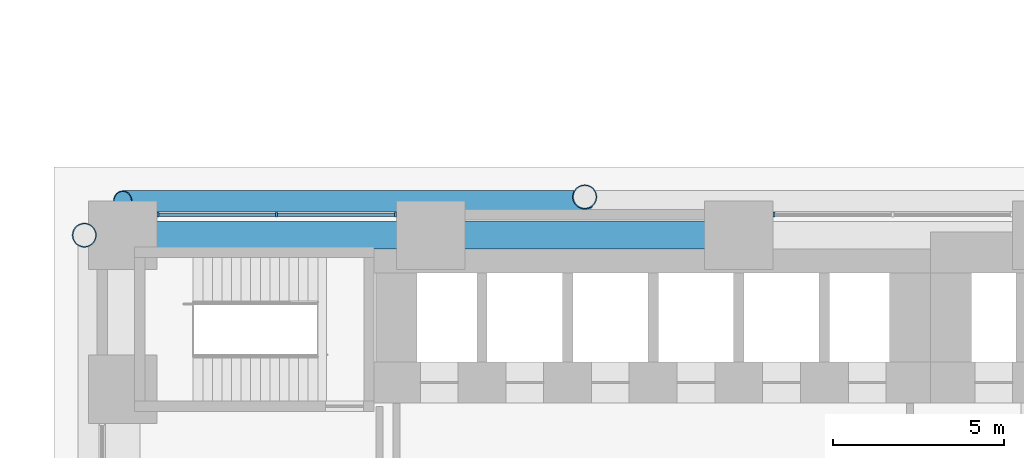
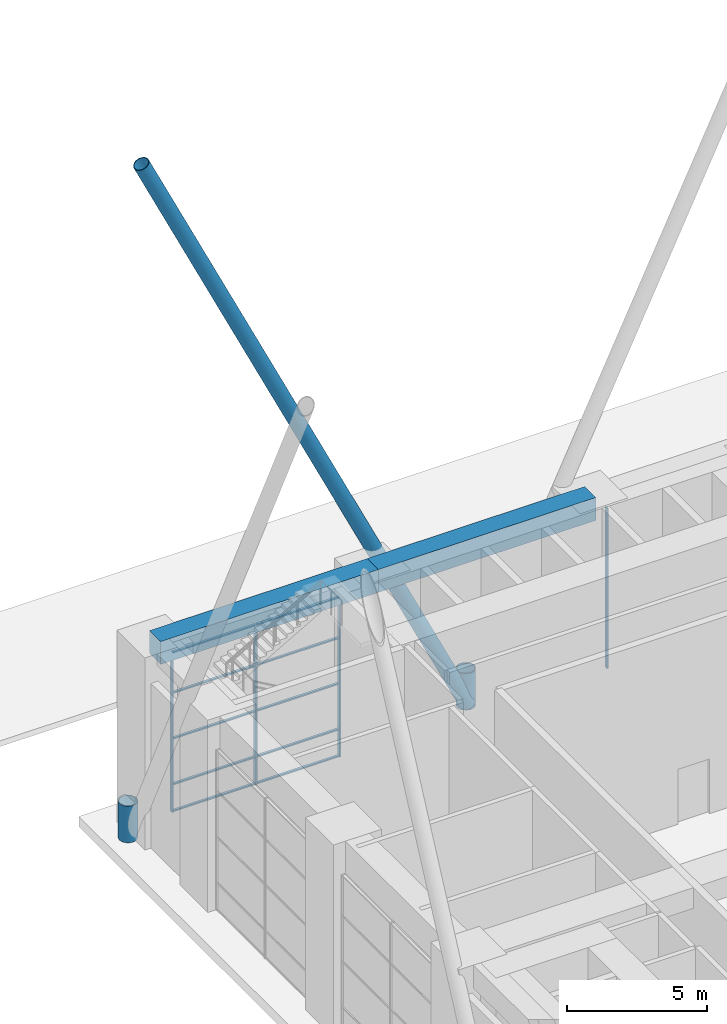
# One storey, part 17 of 44: 17 members, 2 beams, 2 elements without a shape of their own.
"""IFC4 building model written with IfcOpenShell, lengths in metres."""

from ifc_helpers import new_model, si_unit, direction, frame, origin, origin_2d, place, context, subcontext, project, spatial, rectangle, hollow_circle, extrude, material, material_profile, profile_set, type_object, element, aggregate, save


model = new_model("IFC4")

# Units and contexts
model_context = context("Model", 3, precision=1e-05, world=origin(), true_north=direction((0.0, 1.0)))
body_context = subcontext(model_context, "Body", "Model", "MODEL_VIEW")
ifc_project = project(units=[si_unit("LENGTHUNIT", "METRE"), si_unit("AREAUNIT", "SQUARE_METRE"), si_unit("VOLUMEUNIT", "CUBIC_METRE"), si_unit("PLANEANGLEUNIT", "RADIAN"), si_unit("MASSUNIT", "GRAM", prefix="KILO")], contexts=[model_context])

# Site, building, storey
site_placement = place(None, origin())
site = spatial("IfcSite", under=ifc_project, at=site_placement, CompositionType="ELEMENT")
building_placement = place(site_placement, origin())
building = spatial("IfcBuilding", under=site, at=building_placement, Name="Firuza Court", CompositionType="ELEMENT")
storey_placement = place(building_placement, origin())
storey = spatial("IfcBuildingStorey", under=building, at=storey_placement, Name="L00", CompositionType="ELEMENT", Elevation=0.0)

# Members
ifc_material_1 = material(Name="Steel S355", Category="steel")
ifc_material_profile_1 = material_profile(ifc_material_1, hollow_circle(Radius=0.304931640625, WallThickness=0.02490234375, at=origin_2d()), Name="CHS 610x25")
ifc_profile_set_1 = profile_set([ifc_material_profile_1], Name="Steel S355")
member_type_1 = type_object("IfcMemberType", Name="Diagrid diagonal CHS 610x25 S355", PredefinedType="USERDEFINED", material=ifc_profile_set_1)
member_1_placement = place(storey_placement, frame((13.5, 59.4951171875, 0.130859375), z_axis=(-0.430315969648, 0.0, 0.902678329343), x_axis=(0.0, -1.0, 0.0)))
element("IfcMember", 1, at=member_1_placement, inside=storey, type_object=member_type_1, Name="Diagrid diagonal L00 to L05", ObjectType="DIAGRID", PredefinedType="USERDEFINED", context=body_context, shape_type="SweptSolid", body=[
    extrude(hollow_circle(Radius=0.304931640625, WallThickness=0.02490234375, at=origin_2d()), origin(), (0.0, 0.0, 1.0), 31.372314453125),
])
ifc_material_2 = material(Name="Steel S355", Category="steel")
ifc_material_profile_2 = material_profile(ifc_material_2, hollow_circle(Radius=0.35546875, WallThickness=0.030029296875, at=origin_2d()), Name="CHS 711x30")
ifc_profile_set_2 = profile_set([ifc_material_profile_2], Name="Steel S355")
member_type_2 = type_object("IfcMemberType", Name="Diagrid node CHS 711x30 S355", PredefinedType="USERDEFINED", material=ifc_profile_set_2)
for number, where, z_axis, x_axis, name in (
    (2, (-1.1201171875, 58.5, 0.0), (0.0, 0.0, 1.0), (1.0, 0.0, 0.0), "Diagrid node level L00"),
    (3, (13.5, 59.6201171875, 0.0), (0.0, 0.0, 1.0), (1.0, 0.0, 0.0), "Diagrid node level L00"),
):
    element("IfcMember", number, at=place(storey_placement, frame(where, z_axis=z_axis, x_axis=x_axis)), inside=storey, type_object=member_type_2, Name=name, ObjectType="DIAGRID NODE", PredefinedType="USERDEFINED", context=body_context, shape_type="SweptSolid", body=[
        extrude(hollow_circle(Radius=0.35546875, WallThickness=0.030029296875, at=origin_2d()), origin(), (0.0, 0.0, 1.0), 1.60009765625),
    ])

# Curtain wall, member
ifc_material_3 = material(Name="Aluminium curtain wall, triple clear glazing", Category="aluminium")
curtain_wall_type = type_object("IfcCurtainWallType", Name="Ground lobby stick shopfront CW2", PredefinedType="NOTDEFINED", material=ifc_material_3)
curtain_wall_1_placement = place(storey_placement, origin())
curtain_wall_1 = element("IfcCurtainWall", 4, at=curtain_wall_1_placement, inside=storey, type_object=curtain_wall_type, Name="Ground lobby stick shopfront CW2 L00", PredefinedType="NOTDEFINED")
ifc_material_4 = material(Name="Aluminium EN AW-6060 T66", Category="aluminium")
ifc_material_profile_3 = material_profile(ifc_material_4, rectangle(XDim=0.14990234375, YDim=0.06005859375, at=origin_2d()), Name="Mullion 150 x 60 CW2")
ifc_profile_set_3 = profile_set([ifc_material_profile_3], Name="Aluminium EN AW-6060 T66")
member_type_3 = type_object("IfcMemberType", Name="Mullion 150 x 60 CW2", PredefinedType="MULLION", material=ifc_profile_set_3)
member_2_placement = place(storey_placement, frame((19.030029296875, 59.10009765625, 0.0), z_axis=(0.0, 0.0, 1.0), x_axis=(0.0, -1.0, 0.0)))
member_2 = element("IfcMember", 5, at=member_2_placement, type_object=member_type_3, Name="CW2 mullion 3", PredefinedType="MULLION", context=body_context, shape_type="SweptSolid", body=[
    extrude(rectangle(XDim=0.14990234375, YDim=0.06005859375, at=origin_2d()), origin(), (0.0, 0.0, 1.0), 7.0),
])
aggregate(curtain_wall_1, [member_2])

# Curtain wall, members
curtain_wall_2_placement = place(storey_placement, origin())
curtain_wall_2 = element("IfcCurtainWall", 6, at=curtain_wall_2_placement, inside=storey, type_object=curtain_wall_type, Name="Ground lobby stick shopfront CW2 L00", PredefinedType="NOTDEFINED")
member_3_placement = place(storey_placement, frame((7.969970703125, 59.10009765625, 0.0), z_axis=(0.0, 0.0, 1.0), x_axis=(0.0, -1.0, 0.0)))
member_3 = element("IfcMember", 7, at=member_3_placement, type_object=member_type_3, Name="CW2 mullion 1", PredefinedType="MULLION", context=body_context, shape_type="SweptSolid", body=[
    extrude(rectangle(XDim=0.14990234375, YDim=0.06005859375, at=origin_2d()), origin(), (0.0, 0.0, 1.0), 7.0),
])
member_4_placement = place(storey_placement, frame((4.5, 59.10009765625, 0.0), z_axis=(0.0, 0.0, 1.0), x_axis=(0.0, -1.0, 0.0)))
member_4 = element("IfcMember", 8, at=member_4_placement, type_object=member_type_3, Name="CW2 mullion 2", PredefinedType="MULLION", context=body_context, shape_type="SweptSolid", body=[
    extrude(rectangle(XDim=0.14990234375, YDim=0.06005859375, at=origin_2d()), origin(), (0.0, 0.0, 1.0), 7.0),
])
member_5_placement = place(storey_placement, frame((1.030029296875, 59.10009765625, 0.0), z_axis=(0.0, 0.0, 1.0), x_axis=(0.0, -1.0, 0.0)))
member_5 = element("IfcMember", 9, at=member_5_placement, type_object=member_type_3, Name="CW2 mullion 3", PredefinedType="MULLION", context=body_context, shape_type="SweptSolid", body=[
    extrude(rectangle(XDim=0.14990234375, YDim=0.06005859375, at=origin_2d()), origin(), (0.0, 0.0, 1.0), 7.0),
])

# Beams
ifc_material_5 = material(Name="Concrete C60/75", Category="concrete")
ifc_material_profile_4 = material_profile(ifc_material_5, rectangle(XDim=0.800048828125, YDim=1.0, at=origin_2d()), Name="RC 800x1000")
ifc_profile_set_4 = profile_set([ifc_material_profile_4], Name="Concrete C60/75")
beam_type = type_object("IfcBeamType", Name="Transfer girder RC 800x1000 C60/75", PredefinedType="USERDEFINED", material=ifc_profile_set_4)
for number, where, z_axis, x_axis, name in (
    (10, (9.0, 58.5, 7.89990234375), (-1.0, 0.0, 0.0), (0.0, -1.0, 0.0), "Transfer girder TG2 level L01"),
    (11, (18.0, 58.5, 7.89990234375), (-1.0, 0.0, 0.0), (0.0, -1.0, 0.0), "Transfer girder TG2 level L01"),
):
    element("IfcBeam", number, at=place(storey_placement, frame(where, z_axis=z_axis, x_axis=x_axis)), inside=storey, type_object=beam_type, Name=name, ObjectType="TRANSFER GIRDER", PredefinedType="USERDEFINED", context=body_context, shape_type="SweptSolid", body=[
        extrude(rectangle(XDim=0.800048828125, YDim=1.0, at=origin_2d()), origin(), (0.0, 0.0, 1.0), 9.0),
    ])

# Member
ifc_material_6 = material(Name="Aluminium EN AW-6060 T66", Category="aluminium")
ifc_material_profile_5 = material_profile(ifc_material_6, rectangle(XDim=0.10009765625, YDim=0.06005859375, at=origin_2d()), Name="Transom 100 x 60 CW2")
ifc_profile_set_5 = profile_set([ifc_material_profile_5], Name="Aluminium EN AW-6060 T66")
member_type_4 = type_object("IfcMemberType", Name="Transom 100 x 60 CW2", PredefinedType="USERDEFINED", material=ifc_profile_set_5)
member_6_placement = place(storey_placement, frame((7.93994140625, 59.10009765625, 0.030029296875), z_axis=(-1.0, 0.0, 0.0), x_axis=(0.0, -1.0, 0.0)))
member_6 = element("IfcMember", 12, at=member_6_placement, type_object=member_type_4, Name="CW2 transom 1.1", ObjectType="TRANSOM", PredefinedType="USERDEFINED", context=body_context, shape_type="SweptSolid", body=[
    extrude(rectangle(XDim=0.10009765625, YDim=0.06005859375, at=origin_2d()), origin(), (0.0, 0.0, 1.0), 3.409912109375),
])

member_7_placement = place(storey_placement, frame((7.93994140625, 59.10009765625, 1.199951171875), z_axis=(-1.0, 0.0, 0.0), x_axis=(0.0, -1.0, 0.0)))
member_7 = element("IfcMember", 13, at=member_7_placement, type_object=member_type_4, Name="CW2 transom 1.2", ObjectType="TRANSOM", PredefinedType="USERDEFINED", context=body_context, shape_type="SweptSolid", body=[
    extrude(rectangle(XDim=0.10009765625, YDim=0.06005859375, at=origin_2d()), origin(), (0.0, 0.0, 1.0), 3.409912109375),
])

member_8_placement = place(storey_placement, frame((7.93994140625, 59.10009765625, 3.199951171875), z_axis=(-1.0, 0.0, 0.0), x_axis=(0.0, -1.0, 0.0)))
member_8 = element("IfcMember", 14, at=member_8_placement, type_object=member_type_4, Name="CW2 transom 1.3", ObjectType="TRANSOM", PredefinedType="USERDEFINED", context=body_context, shape_type="SweptSolid", body=[
    extrude(rectangle(XDim=0.10009765625, YDim=0.06005859375, at=origin_2d()), origin(), (0.0, 0.0, 1.0), 3.409912109375),
])

member_9_placement = place(storey_placement, frame((7.93994140625, 59.10009765625, 5.199951171875), z_axis=(-1.0, 0.0, 0.0), x_axis=(0.0, -1.0, 0.0)))
member_9 = element("IfcMember", 15, at=member_9_placement, type_object=member_type_4, Name="CW2 transom 1.4", ObjectType="TRANSOM", PredefinedType="USERDEFINED", context=body_context, shape_type="SweptSolid", body=[
    extrude(rectangle(XDim=0.10009765625, YDim=0.06005859375, at=origin_2d()), origin(), (0.0, 0.0, 1.0), 3.409912109375),
])

member_10_placement = place(storey_placement, frame((7.93994140625, 59.10009765625, 6.969970703125), z_axis=(-1.0, 0.0, 0.0), x_axis=(0.0, -1.0, 0.0)))
member_10 = element("IfcMember", 16, at=member_10_placement, type_object=member_type_4, Name="CW2 transom 1.5", ObjectType="TRANSOM", PredefinedType="USERDEFINED", context=body_context, shape_type="SweptSolid", body=[
    extrude(rectangle(XDim=0.10009765625, YDim=0.06005859375, at=origin_2d()), origin(), (0.0, 0.0, 1.0), 3.409912109375),
])

member_11_placement = place(storey_placement, frame((4.469970703125, 59.10009765625, 0.030029296875), z_axis=(-1.0, 0.0, 0.0), x_axis=(0.0, -1.0, 0.0)))
member_11 = element("IfcMember", 17, at=member_11_placement, type_object=member_type_4, Name="CW2 transom 2.1", ObjectType="TRANSOM", PredefinedType="USERDEFINED", context=body_context, shape_type="SweptSolid", body=[
    extrude(rectangle(XDim=0.10009765625, YDim=0.06005859375, at=origin_2d()), origin(), (0.0, 0.0, 1.0), 3.409912109375),
])

member_12_placement = place(storey_placement, frame((4.469970703125, 59.10009765625, 1.199951171875), z_axis=(-1.0, 0.0, 0.0), x_axis=(0.0, -1.0, 0.0)))
member_12 = element("IfcMember", 18, at=member_12_placement, type_object=member_type_4, Name="CW2 transom 2.2", ObjectType="TRANSOM", PredefinedType="USERDEFINED", context=body_context, shape_type="SweptSolid", body=[
    extrude(rectangle(XDim=0.10009765625, YDim=0.06005859375, at=origin_2d()), origin(), (0.0, 0.0, 1.0), 3.409912109375),
])

member_13_placement = place(storey_placement, frame((4.469970703125, 59.10009765625, 3.199951171875), z_axis=(-1.0, 0.0, 0.0), x_axis=(0.0, -1.0, 0.0)))
member_13 = element("IfcMember", 19, at=member_13_placement, type_object=member_type_4, Name="CW2 transom 2.3", ObjectType="TRANSOM", PredefinedType="USERDEFINED", context=body_context, shape_type="SweptSolid", body=[
    extrude(rectangle(XDim=0.10009765625, YDim=0.06005859375, at=origin_2d()), origin(), (0.0, 0.0, 1.0), 3.409912109375),
])

member_14_placement = place(storey_placement, frame((4.469970703125, 59.10009765625, 5.199951171875), z_axis=(-1.0, 0.0, 0.0), x_axis=(0.0, -1.0, 0.0)))
member_14 = element("IfcMember", 20, at=member_14_placement, type_object=member_type_4, Name="CW2 transom 2.4", ObjectType="TRANSOM", PredefinedType="USERDEFINED", context=body_context, shape_type="SweptSolid", body=[
    extrude(rectangle(XDim=0.10009765625, YDim=0.06005859375, at=origin_2d()), origin(), (0.0, 0.0, 1.0), 3.409912109375),
])

member_15_placement = place(storey_placement, frame((4.469970703125, 59.10009765625, 6.969970703125), z_axis=(-1.0, 0.0, 0.0), x_axis=(0.0, -1.0, 0.0)))
member_15 = element("IfcMember", 21, at=member_15_placement, type_object=member_type_4, Name="CW2 transom 2.5", ObjectType="TRANSOM", PredefinedType="USERDEFINED", context=body_context, shape_type="SweptSolid", body=[
    extrude(rectangle(XDim=0.10009765625, YDim=0.06005859375, at=origin_2d()), origin(), (0.0, 0.0, 1.0), 3.409912109375),
])

aggregate(curtain_wall_2, [member_3, member_4, member_5, member_6, member_7, member_8, member_9, member_10, member_11, member_12, member_13, member_14, member_15])

save(model, "model.ifc")
